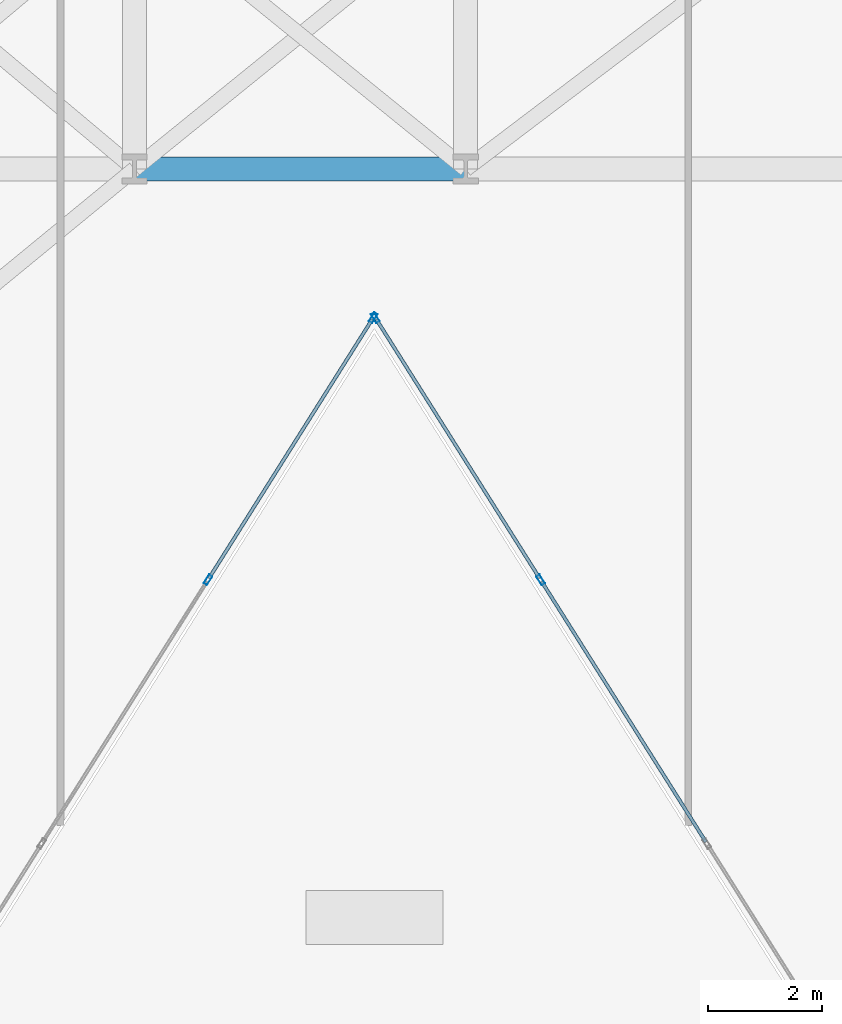
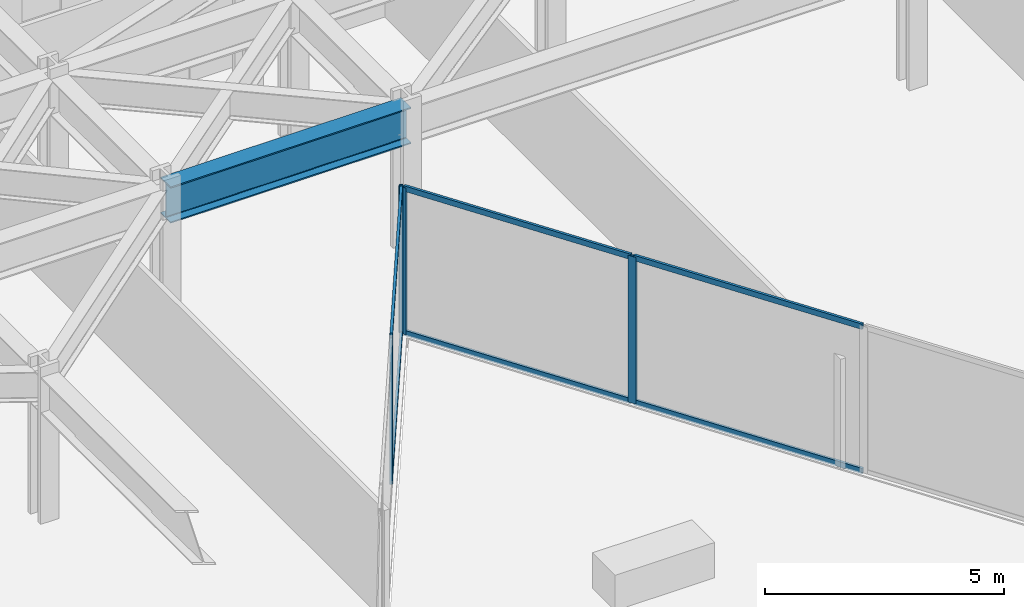
# One storey, part 11 of 25: 10 members, 1 beam, 2 elements without a shape of their own.
"""IFC4 building model written with IfcOpenShell, lengths in metres."""

from ifc_helpers import new_model, si_unit, direction, frame, origin, origin_2d, place, context, subcontext, project, spatial, hollow_rectangle, i_section, extrude, material, layer, layer_set, material_profile, profile_set, type_object, element, aggregate, save


model = new_model("IFC4")

# Units and contexts
model_context = context("Model", 3, precision=1e-05, world=origin(), true_north=direction((0.0, 1.0)))
body_context = subcontext(model_context, "Body", "Model", "MODEL_VIEW")
ifc_project = project(units=[si_unit("LENGTHUNIT", "METRE"), si_unit("AREAUNIT", "SQUARE_METRE"), si_unit("VOLUMEUNIT", "CUBIC_METRE"), si_unit("PLANEANGLEUNIT", "RADIAN"), si_unit("MASSUNIT", "GRAM", prefix="KILO")], contexts=[model_context])

# Site, building, storey
site_placement = place(None, origin())
site = spatial("IfcSite", under=ifc_project, at=site_placement, CompositionType="ELEMENT")
building_placement = place(site_placement, origin())
building = spatial("IfcBuilding", under=site, at=building_placement, Name="Kravanh Interchange Tower", CompositionType="ELEMENT")
storey_placement = place(building_placement, frame((0.0, 0.0, 29.5)))
storey = spatial("IfcBuildingStorey", under=building, at=storey_placement, Name="L06", CompositionType="ELEMENT", Elevation=29.5)

# Curtain wall, members
ifc_material_1 = material(Name="Anodised Bronze Aluminium", Category="aluminium")
ifc_layer = layer(ifc_material_1, 0.179931640625)
ifc_layer_set = layer_set([ifc_layer], Name="Unitised Curtain Wall System CW-Z1 Lower Office")
curtain_wall_type = type_object("IfcCurtainWallType", Name="Unitised Curtain Wall System CW-Z1 Lower Office", PredefinedType="NOTDEFINED", material=ifc_layer_set)
curtain_wall_1_placement = place(storey_placement, origin())
curtain_wall_1 = element("IfcCurtainWall", 1, at=curtain_wall_1_placement, inside=storey, type_object=curtain_wall_type, Name="L06 Unitised Curtain Wall CW-L06-04", PredefinedType="NOTDEFINED")
ifc_material_2 = material(Name="Anodised Bronze Aluminium", Category="aluminium")
ifc_material_profile_1 = material_profile(ifc_material_2, hollow_rectangle(XDim=0.070068359375, YDim=0.179931640625, WallThickness=0.00390625, at=origin_2d()), Name="ALU70X180X4")
ifc_profile_set_1 = profile_set([ifc_material_profile_1], Name="Anodised Bronze Aluminium")
member_type_1 = type_object("IfcMemberType", Name="Curtain Wall Mullion ALU70X180X4 Bronze", PredefinedType="MULLION", material=ifc_profile_set_1)
member_1_placement = place(storey_placement, frame((39.913330078125, 19.60400390625, 0.0), z_axis=(0.0, 0.0, 1.0), x_axis=(-0.845925530786, -0.53330103728, 0.0)))
member_1 = element("IfcMember", 2, at=member_1_placement, type_object=member_type_1, Name="CW-Z1 mullion 5", PredefinedType="MULLION", context=body_context, shape_type="SweptSolid", body=[
    extrude(hollow_rectangle(XDim=0.070068359375, YDim=0.179931640625, WallThickness=0.00390625, at=origin_2d()), origin(), (0.0, 0.0, 1.0), 3.739990234375),
])
member_2_placement = place(storey_placement, frame((37.0185546875, 24.1953125, 0.0), z_axis=(0.0, 0.0, 1.0), x_axis=(-0.845925530786, -0.53330103728, 0.0)))
member_2 = element("IfcMember", 3, at=member_2_placement, type_object=member_type_1, Name="CW-Z1 mullion 6", PredefinedType="MULLION", context=body_context, shape_type="SweptSolid", body=[
    extrude(hollow_rectangle(XDim=0.070068359375, YDim=0.179931640625, WallThickness=0.00390625, at=origin_2d()), origin(), (0.0, 0.0, 1.0), 3.739990234375),
])

curtain_wall_2_placement = place(storey_placement, origin())
curtain_wall_2 = element("IfcCurtainWall", 4, at=curtain_wall_2_placement, inside=storey, type_object=curtain_wall_type, Name="L06 Unitised Curtain Wall CW-L06-05", PredefinedType="NOTDEFINED")
member_3_placement = place(storey_placement, frame((36.9814453125, 24.1953125, 0.0), z_axis=(0.0, 0.0, 1.0), x_axis=(0.845925530786, -0.53330103728, 0.0)))
member_3 = element("IfcMember", 5, at=member_3_placement, type_object=member_type_1, Name="CW-Z1 mullion 1", PredefinedType="MULLION", context=body_context, shape_type="SweptSolid", body=[
    extrude(hollow_rectangle(XDim=0.070068359375, YDim=0.179931640625, WallThickness=0.00390625, at=origin_2d()), origin(), (0.0, 0.0, 1.0), 3.739990234375),
])
member_4_placement = place(storey_placement, frame((34.086669921875, 19.60400390625, 0.0), z_axis=(0.0, 0.0, 1.0), x_axis=(0.845925530786, -0.53330103728, 0.0)))
member_4 = element("IfcMember", 6, at=member_4_placement, type_object=member_type_1, Name="CW-Z1 mullion 2", PredefinedType="MULLION", context=body_context, shape_type="SweptSolid", body=[
    extrude(hollow_rectangle(XDim=0.070068359375, YDim=0.179931640625, WallThickness=0.00390625, at=origin_2d()), origin(), (0.0, 0.0, 1.0), 3.739990234375),
])

# Member
ifc_material_3 = material(Name="Anodised Bronze Aluminium", Category="aluminium")
ifc_material_profile_2 = material_profile(ifc_material_3, hollow_rectangle(XDim=0.06005859375, YDim=0.139892578125, WallThickness=0.00390625, at=origin_2d()), Name="ALU60X140X4")
ifc_profile_set_2 = profile_set([ifc_material_profile_2], Name="Anodised Bronze Aluminium")
member_type_2 = type_object("IfcMemberType", Name="Curtain Wall Transom ALU60X140X4 Bronze", PredefinedType="USERDEFINED", material=ifc_profile_set_2)
member_5_placement = place(storey_placement, frame((42.807861328125, 15.0126953125, 0.030029296875), z_axis=(-0.533311487456, 0.84591894254, 0.0), x_axis=(-0.84591894254, -0.533311487456, 0.0)))
member_5 = element("IfcMember", 7, at=member_5_placement, type_object=member_type_2, Name="CW-Z1 transom 4.1", ObjectType="TRANSOM", PredefinedType="USERDEFINED", context=body_context, shape_type="SweptSolid", body=[
    extrude(hollow_rectangle(XDim=0.06005859375, YDim=0.139892578125, WallThickness=0.00390625, at=origin_2d()), origin(), (0.0, 0.0, 1.0), 5.392578125),
])

member_6_placement = place(storey_placement, frame((42.807861328125, 15.0126953125, 3.7099609375), z_axis=(-0.533311487456, 0.84591894254, 0.0), x_axis=(-0.84591894254, -0.533311487456, 0.0)))
member_6 = element("IfcMember", 8, at=member_6_placement, type_object=member_type_2, Name="CW-Z1 transom 4.2", ObjectType="TRANSOM", PredefinedType="USERDEFINED", context=body_context, shape_type="SweptSolid", body=[
    extrude(hollow_rectangle(XDim=0.06005859375, YDim=0.139892578125, WallThickness=0.00390625, at=origin_2d()), origin(), (0.0, 0.0, 1.0), 5.392578125),
])

member_7_placement = place(storey_placement, frame((39.89453125, 19.633544921875, 0.030029296875), z_axis=(-0.533288163518, 0.845933646719, 0.0), x_axis=(-0.845933646719, -0.533288163518, 0.0)))
member_7 = element("IfcMember", 9, at=member_7_placement, type_object=member_type_2, Name="CW-Z1 transom 5.1", ObjectType="TRANSOM", PredefinedType="USERDEFINED", context=body_context, shape_type="SweptSolid", body=[
    extrude(hollow_rectangle(XDim=0.06005859375, YDim=0.139892578125, WallThickness=0.00390625, at=origin_2d()), origin(), (0.0, 0.0, 1.0), 5.357666015625),
])

member_8_placement = place(storey_placement, frame((39.89453125, 19.633544921875, 3.7099609375), z_axis=(-0.533288163518, 0.845933646719, 0.0), x_axis=(-0.845933646719, -0.533288163518, 0.0)))
member_8 = element("IfcMember", 10, at=member_8_placement, type_object=member_type_2, Name="CW-Z1 transom 5.2", ObjectType="TRANSOM", PredefinedType="USERDEFINED", context=body_context, shape_type="SweptSolid", body=[
    extrude(hollow_rectangle(XDim=0.06005859375, YDim=0.139892578125, WallThickness=0.00390625, at=origin_2d()), origin(), (0.0, 0.0, 1.0), 5.357666015625),
])

aggregate(curtain_wall_1, [member_1, member_2, member_5, member_6, member_7, member_8])

member_9_placement = place(storey_placement, frame((36.962646484375, 24.165771484375, 0.030029296875), z_axis=(-0.533288163518, -0.845933646719, 0.0), x_axis=(0.845933646719, -0.533288163518, 0.0)))
member_9 = element("IfcMember", 11, at=member_9_placement, type_object=member_type_2, Name="CW-Z1 transom 1.1", ObjectType="TRANSOM", PredefinedType="USERDEFINED", context=body_context, shape_type="SweptSolid", body=[
    extrude(hollow_rectangle(XDim=0.06005859375, YDim=0.139892578125, WallThickness=0.00390625, at=origin_2d()), origin(), (0.0, 0.0, 1.0), 5.357666015625),
])

member_10_placement = place(storey_placement, frame((36.962646484375, 24.165771484375, 3.7099609375), z_axis=(-0.533288163518, -0.845933646719, 0.0), x_axis=(0.845933646719, -0.533288163518, 0.0)))
member_10 = element("IfcMember", 12, at=member_10_placement, type_object=member_type_2, Name="CW-Z1 transom 1.2", ObjectType="TRANSOM", PredefinedType="USERDEFINED", context=body_context, shape_type="SweptSolid", body=[
    extrude(hollow_rectangle(XDim=0.06005859375, YDim=0.139892578125, WallThickness=0.00390625, at=origin_2d()), origin(), (0.0, 0.0, 1.0), 5.357666015625),
])

aggregate(curtain_wall_2, [member_3, member_4, member_9, member_10])

# Beam
ifc_material_4 = material(Name="Structural Steel S355", Category="steel")
ifc_material_profile_3 = material_profile(ifc_material_4, i_section(OverallWidth=0.41796875, OverallDepth=0.927001953125, WebThickness=0.019287109375, FlangeThickness=0.031982421875, FilletRadius=0.028076171875, at=origin_2d()), Name="W36X231")
ifc_profile_set_3 = profile_set([ifc_material_profile_3], Name="Structural Steel S355")
beam_type = type_object("IfcBeamType", Name="Floor Beam W36X231 Structural Steel S355", PredefinedType="BEAM", material=ifc_profile_set_3)
beam_placement = place(storey_placement, frame((32.800048828125, 26.800048828125, 3.276611328125), z_axis=(1.0, 0.0, 0.0), x_axis=(0.0, 1.0, 0.0)))
element("IfcBeam", 13, at=beam_placement, inside=storey, type_object=beam_type, Name="L06 Primary Floor Girder 83", PredefinedType="BEAM", context=body_context, shape_type="SweptSolid", body=[
    extrude(i_section(OverallWidth=0.41796875, OverallDepth=0.927001953125, WebThickness=0.019287109375, FlangeThickness=0.031982421875, FilletRadius=0.028076171875, at=origin_2d()), origin(), (0.0, 0.0, 1.0), 5.800048828125),
])

save(model, "model.ifc")
